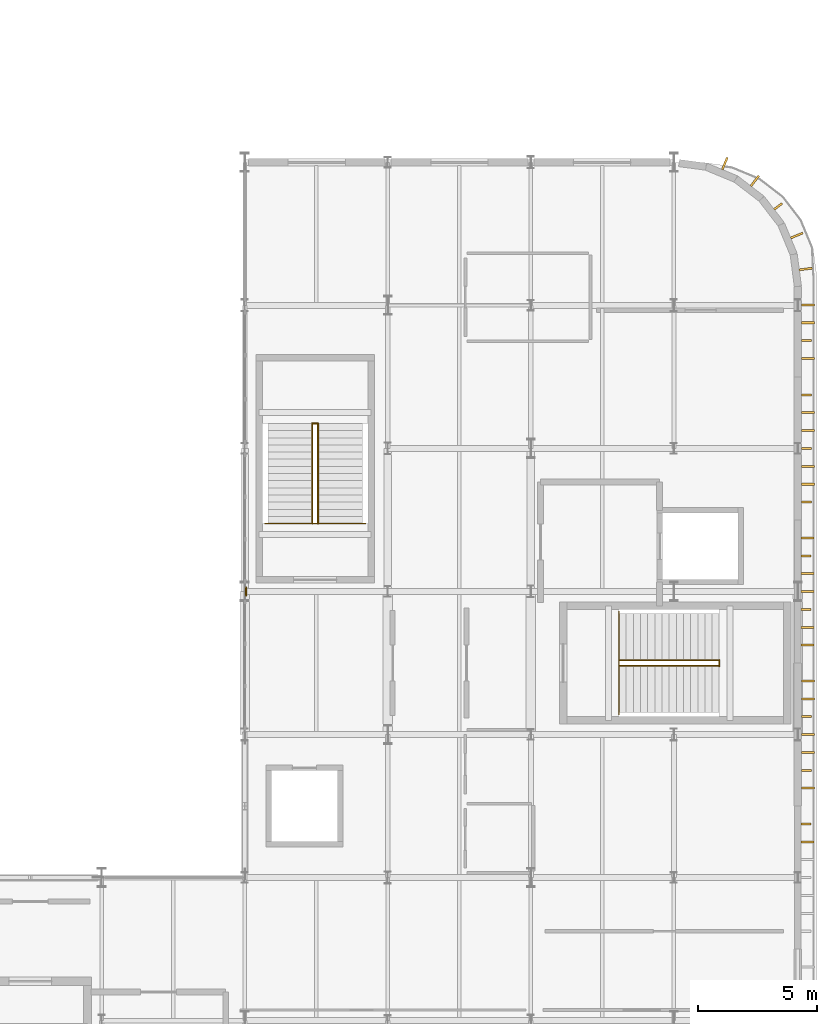
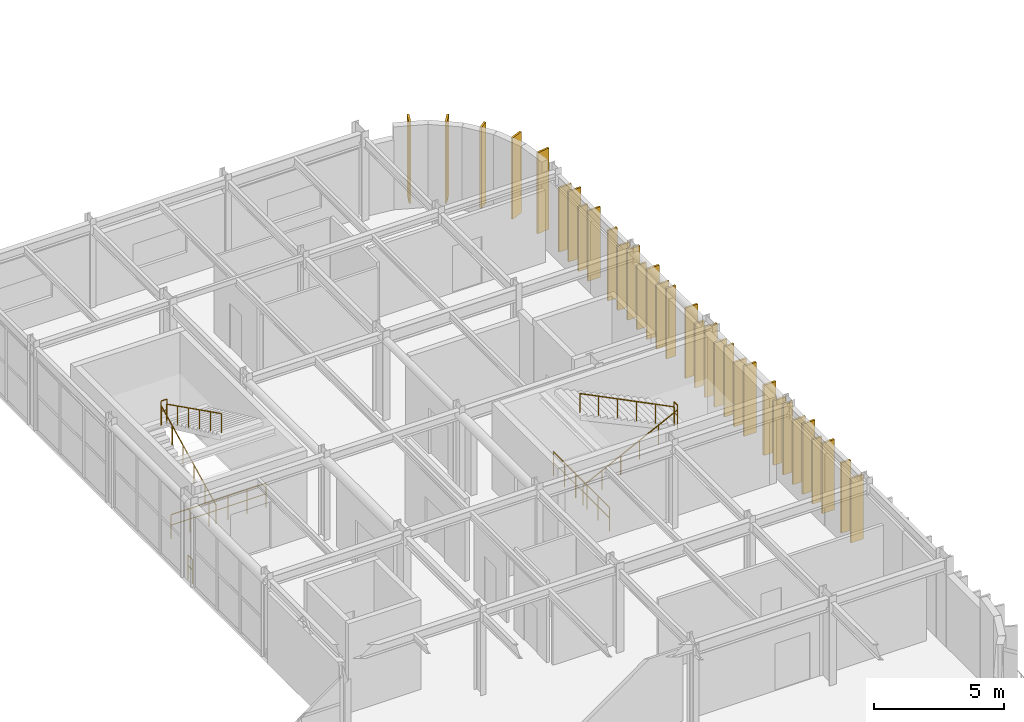
# One storey, part 83 of 83: 32 coverings, 9 railings.
"""IFC4 building model written with IfcOpenShell, lengths in metres."""

import ifcopenshell
import ifcopenshell.guid

model = None  # the IFC model being written
_history = None  # IfcOwnerHistory: only IFC2X3 demands one
_inside = {}  # id of a spatial element -> (the spatial element, [elements in it])
_under = {}  # id of a project, library or spatial element -> (it, [spatial elements below it])
_declared = {}  # id of a project -> (the project, [libraries it declares])
_typed = {}  # id of a type object -> (the type object, [elements of that type])
_made_of = {}  # id of a material, layer set ... -> (it, [elements and type objects made of it])


def new_model(schema):
    """Start an empty IFC model of exactly this schema.

    Asked for "IFC4X3", IfcOpenShell would pick the latest addendum, in which some entities
    have other attributes; the version numbers below select the first issue.
    IFC2X3 requires an IfcOwnerHistory on every rooted entity: one is made here for all.
    """
    global model, _history
    if schema == "IFC4X3":
        model = ifcopenshell.file(schema_version=(4, 3, 0, 0))
    else:
        model = ifcopenshell.file(schema=schema)
    _inside.clear()
    _under.clear()
    _declared.clear()
    _typed.clear()
    _made_of.clear()
    _history = None
    if model.schema == "IFC2X3":
        org = make("IfcOrganization", Name="unknown")
        user = make(
            "IfcPersonAndOrganization",
            ThePerson=make("IfcPerson", FamilyName="unknown"),
            TheOrganization=org,
        )
        app = make(
            "IfcApplication",
            ApplicationDeveloper=org,
            Version="unknown",
            ApplicationFullName="unknown",
            ApplicationIdentifier="unknown",
        )
        _history = make(
            "IfcOwnerHistory",
            OwningUser=user,
            OwningApplication=app,
            ChangeAction="ADDED",
            CreationDate=0,
        )
    return model


def make(cls, **values):
    """One entity of the class cls with the attributes given. An attribute that is None is left unset."""
    return model.create_entity(
        cls, **{name: value for name, value in values.items() if value is not None}
    )


def rooted(cls, **values):
    """An entity with a GlobalId (a new one), such as an element, a storey or a relation."""
    return make(cls, GlobalId=ifcopenshell.guid.new(), OwnerHistory=_history, **values)


def si_unit(unit_type, name, prefix=None):
    """IfcSIUnit, for example si_unit("LENGTHUNIT", "METRE", prefix="MILLI")."""
    return make("IfcSIUnit", UnitType=unit_type, Prefix=prefix, Name=name)


def assignment(units):
    """IfcUnitAssignment: the units of a project."""
    return None if units is None else make("IfcUnitAssignment", Units=units)


def point(xyz):
    """IfcCartesianPoint."""
    return None if xyz is None else make("IfcCartesianPoint", Coordinates=xyz)


def direction(xyz):
    """IfcDirection."""
    return None if xyz is None else make("IfcDirection", DirectionRatios=xyz)


def frame(location, z_axis=None, x_axis=None):
    """IfcAxis2Placement3D, a coordinate frame: its origin and axes. An axis left out is left unset."""
    return make(
        "IfcAxis2Placement3D",
        Location=point(location),
        Axis=direction(z_axis),
        RefDirection=direction(x_axis),
    )


def frame_2d(location, x_axis=None):
    """IfcAxis2Placement2D, a coordinate frame in the plane: its origin and x axis."""
    return make(
        "IfcAxis2Placement2D", Location=point(location), RefDirection=direction(x_axis)
    )


def origin():
    """The frame at (0, 0, 0) with its axes left unset."""
    return frame((0.0, 0.0, 0.0))


def origin_2d():
    """The frame at (0, 0) in the plane with its x axis left unset."""
    return frame_2d((0.0, 0.0))


def place(relative_to, where):
    """IfcLocalPlacement: puts the frame where relative to a parent placement (None: the world)."""
    return make(
        "IfcLocalPlacement", PlacementRelTo=relative_to, RelativePlacement=where
    )


def context(
    kind, dimensions, precision=None, world=None, true_north=None, identifier=None
):
    """IfcGeometricRepresentationContext, for example the 3D "Model" context."""
    return make(
        "IfcGeometricRepresentationContext",
        ContextIdentifier=identifier,
        ContextType=kind,
        CoordinateSpaceDimension=dimensions,
        Precision=precision,
        WorldCoordinateSystem=world,
        TrueNorth=true_north,
    )


def subcontext(parent, identifier, kind, view, scale=None):
    """IfcGeometricRepresentationSubContext, for example "Body" below "Model"."""
    return make(
        "IfcGeometricRepresentationSubContext",
        ContextIdentifier=identifier,
        ContextType=kind,
        ParentContext=parent,
        TargetScale=scale,
        TargetView=view,
    )


def project(units=None, contexts=None):
    """IfcProject with its units and contexts."""
    return rooted(
        "IfcProject",
        Name="project",
        RepresentationContexts=contexts,
        UnitsInContext=assignment(units),
    )


def spatial(cls, under=None, at=None, **own):
    """A site, building, storey or space (cls), placed at a placement, below another one or the project."""
    s = rooted(cls, ObjectPlacement=at, **own)
    if under is not None:
        _under.setdefault(under.id(), (under, []))[1].append(s)
    return s


def profile(cls, at=None, kind="AREA", **sizes):
    """A parametric profile (cls). Its sizes go by their IFC names, for example OverallWidth=200.0."""
    return make(cls, ProfileType=kind, Position=at, **sizes)


def rectangle(**sizes):
    """IfcRectangleProfileDef."""
    return profile("IfcRectangleProfileDef", **sizes)


def circle(**sizes):
    """IfcCircleProfileDef."""
    return profile("IfcCircleProfileDef", **sizes)


def extrude(swept, where, along, depth):
    """IfcExtrudedAreaSolid: the profile swept, set in the frame where, extruded along a direction by depth."""
    return make(
        "IfcExtrudedAreaSolid",
        SweptArea=swept,
        Position=where,
        ExtrudedDirection=direction(along),
        Depth=depth,
    )


def shape(context_of_items, identifier, shape_type, items):
    """IfcShapeRepresentation: the items that make up one representation, for example the "Body"."""
    return make(
        "IfcShapeRepresentation",
        ContextOfItems=context_of_items,
        RepresentationIdentifier=identifier,
        RepresentationType=shape_type,
        Items=items,
    )


def material(Name=None, Category=None):
    """IfcMaterial."""
    return make("IfcMaterial", Name=Name, Category=Category)


def layer(
    of_material, thickness, ventilated=None, Name=None, Category=None, Priority=None
):
    """IfcMaterialLayer: one layer of a wall or slab, of a material (None: an air gap)."""
    return make(
        "IfcMaterialLayer",
        Material=of_material,
        LayerThickness=thickness,
        IsVentilated=ventilated,
        Name=Name,
        Category=Category,
        Priority=Priority,
    )


def layer_set(layers, Name=None):
    """IfcMaterialLayerSet."""
    return make("IfcMaterialLayerSet", MaterialLayers=layers, LayerSetName=Name)


def made_of(thing, what):
    """Note that an element or type object is made of a material, layer set ...; save() writes the relation."""
    if what is not None:
        _made_of.setdefault(what.id(), (what, []))[1].append(thing)
    return thing


def type_object(cls, material=None, **own):
    """A type object (cls), such as IfcWallType, which elements share."""
    return made_of(rooted(cls, **own), material)


def element(
    cls,
    number,
    at=None,
    inside=None,
    cuts=None,
    type_object=None,
    material=None,
    context=None,
    identifier="Body",
    shape_type=None,
    held_by="IfcProductDefinitionShape",
    body=None,
    shapes=None,
    **own,
):
    """One element of the class cls, such as IfcWall. Its Tag is "e" and its number.

    at: its placement. inside: the storey or other place that contains it. cuts: it is an
    opening in that element (IfcRelVoidsElement). A single representation is given by context,
    identifier, shape_type and body (its items); several are given by shapes. held_by: the class
    of the entity that holds the representations. save() writes the other relations.
    """
    e = rooted(cls, Tag="e%d" % number, ObjectPlacement=at, **own)
    if body is not None:
        shapes = [shape(context, identifier, shape_type, body)]
    if shapes is not None:
        e.Representation = make(held_by, Representations=shapes)
    if inside is not None:
        _inside.setdefault(inside.id(), (inside, []))[1].append(e)
    if cuts is not None:
        rooted(
            "IfcRelVoidsElement", RelatingBuildingElement=cuts, RelatedOpeningElement=e
        )
    if type_object is not None:
        _typed.setdefault(type_object.id(), (type_object, []))[1].append(e)
    return made_of(e, material)


def aggregate(whole, parts):
    """IfcRelAggregates: a whole, such as a stair, and the parts it consists of."""
    return rooted("IfcRelAggregates", RelatingObject=whole, RelatedObjects=parts)


def save(model, path):
    """Write the relations noted so far, then the file.

    IfcRelAggregates (storeys below a building ...), IfcRelContainedInSpatialStructure (elements
    in a storey), IfcRelDefinesByType, IfcRelAssociatesMaterial and IfcRelDeclares: one each for
    every whole, place, type object, material and project.
    """
    for whole, parts in _under.values():
        aggregate(whole, parts)
    for where, things in _inside.values():
        rooted(
            "IfcRelContainedInSpatialStructure",
            RelatedElements=things,
            RelatingStructure=where,
        )
    for kind, things in _typed.values():
        rooted("IfcRelDefinesByType", RelatedObjects=things, RelatingType=kind)
    for what, things in _made_of.values():
        rooted("IfcRelAssociatesMaterial", RelatedObjects=things, RelatingMaterial=what)
    for by, libraries in _declared.values():
        rooted("IfcRelDeclares", RelatingContext=by, RelatedDefinitions=libraries)
    model.write(path)


model = new_model("IFC4")

# Units and contexts
model_context = context("Model", 3, precision=1e-05, world=origin(), true_north=direction((0.0, 1.0)))
body_context = subcontext(model_context, "Body", "Model", "MODEL_VIEW")
ifc_project = project(units=[si_unit("LENGTHUNIT", "METRE"), si_unit("AREAUNIT", "SQUARE_METRE"), si_unit("VOLUMEUNIT", "CUBIC_METRE"), si_unit("PLANEANGLEUNIT", "RADIAN"), si_unit("MASSUNIT", "GRAM", prefix="KILO")], contexts=[model_context])

# Site, building, storey
site_placement = place(None, origin())
site = spatial("IfcSite", under=ifc_project, at=site_placement, CompositionType="ELEMENT")
building_placement = place(site_placement, origin())
building = spatial("IfcBuilding", under=site, at=building_placement, Name="Varnakota Square Police Headquarters", CompositionType="ELEMENT")
storey_placement = place(building_placement, frame((0.0, 0.0, 18.0)))
storey = spatial("IfcBuildingStorey", under=building, at=storey_placement, Name="L04", CompositionType="ELEMENT", Elevation=18.0)

# Coverings
ifc_material_1 = material(Name="White Anodised Aluminium Vertical Facade Blade 420", Category="aluminium")
ifc_layer_1 = layer(ifc_material_1, 0.0849609375, Name="White Anodised Aluminium Vertical Facade Blade 420")
ifc_layer_set_1 = layer_set([ifc_layer_1], Name="White Anodised Aluminium Vertical Facade Blade 420")
covering_type_1 = type_object("IfcCoveringType", Name="COV-FIN-420", PredefinedType="CLADDING", material=ifc_layer_set_1)
covering_1_placement = place(storey_placement, frame((161.544921875, 17.25, 0.0400390625), z_axis=(0.0, 0.0, 1.0), x_axis=(0.0, 1.0, 0.0)))
element("IfcCovering", 1, at=covering_1_placement, inside=storey, type_object=covering_type_1, Name="Vertical aluminium facade fin FIN-0583", PredefinedType="CLADDING", context=body_context, shape_type="SweptSolid", body=[
    extrude(rectangle(XDim=0.0849609375, YDim=0.419921875, at=origin_2d()), origin(), (0.0, 0.0, 1.0), 3.31005859375),
])
covering_2_placement = place(storey_placement, frame((161.56494140625, 19.5, 0.0400390625), z_axis=(0.0, 0.0, 1.0), x_axis=(0.0, 1.0, 0.0)))
element("IfcCovering", 2, at=covering_2_placement, inside=storey, type_object=covering_type_1, Name="Vertical aluminium facade fin FIN-0585", PredefinedType="CLADDING", context=body_context, shape_type="SweptSolid", body=[
    extrude(rectangle(XDim=0.0849609375, YDim=0.419921875, at=origin_2d()), origin(), (0.0, 0.0, 1.0), 3.030029296875),
])
for number, where, z_axis, x_axis, name in (
    (3, (161.56494140625, 21.75, 0.0400390625), (0.0, 0.0, 1.0), (0.0, 1.0, 0.0), "Vertical aluminium facade fin FIN-0588"),
    (4, (161.544921875, 26.25, 0.0400390625), (0.0, 0.0, 1.0), (0.0, 1.0, 0.0), "Vertical aluminium facade fin FIN-0593"),
):
    element("IfcCovering", number, at=place(storey_placement, frame(where, z_axis=z_axis, x_axis=x_axis)), inside=storey, type_object=covering_type_1, Name=name, PredefinedType="CLADDING", context=body_context, shape_type="SweptSolid", body=[
        extrude(rectangle(XDim=0.0849609375, YDim=0.419921875, at=origin_2d()), origin(), (0.0, 0.0, 1.0), 3.31005859375),
    ])
covering_3_placement = place(storey_placement, frame((161.544921875, 28.5, 0.0400390625), z_axis=(0.0, 0.0, 1.0), x_axis=(0.0, 1.0, 0.0)))
element("IfcCovering", 5, at=covering_3_placement, inside=storey, type_object=covering_type_1, Name="Vertical aluminium facade fin FIN-0596", PredefinedType="CLADDING", context=body_context, shape_type="SweptSolid", body=[
    extrude(rectangle(XDim=0.0849609375, YDim=0.419921875, at=origin_2d()), origin(), (0.0, 0.0, 1.0), 3.030029296875),
])
covering_4_placement = place(storey_placement, frame((161.56494140625, 30.75, 0.0400390625), z_axis=(0.0, 0.0, 1.0), x_axis=(0.0, 1.0, 0.0)))
element("IfcCovering", 6, at=covering_4_placement, inside=storey, type_object=covering_type_1, Name="Vertical aluminium facade fin FIN-0598", PredefinedType="CLADDING", context=body_context, shape_type="SweptSolid", body=[
    extrude(rectangle(XDim=0.0849609375, YDim=0.419921875, at=origin_2d()), origin(), (0.0, 0.0, 1.0), 3.31005859375),
])
covering_5_placement = place(storey_placement, frame((161.56494140625, 33.0, 0.0400390625), z_axis=(0.0, 0.0, 1.0), x_axis=(0.0, 1.0, 0.0)))
element("IfcCovering", 7, at=covering_5_placement, inside=storey, type_object=covering_type_1, Name="Vertical aluminium facade fin FIN-0601", PredefinedType="CLADDING", context=body_context, shape_type="SweptSolid", body=[
    extrude(rectangle(XDim=0.0849609375, YDim=0.419921875, at=origin_2d()), origin(), (0.0, 0.0, 1.0), 3.030029296875),
])
covering_6_placement = place(storey_placement, frame((161.56494140625, 35.25, 0.0400390625), z_axis=(0.0, 0.0, 1.0), x_axis=(0.0, 1.0, 0.0)))
element("IfcCovering", 8, at=covering_6_placement, inside=storey, type_object=covering_type_1, Name="Vertical aluminium facade fin FIN-0604", PredefinedType="CLADDING", context=body_context, shape_type="SweptSolid", body=[
    extrude(rectangle(XDim=0.0849609375, YDim=0.419921875, at=origin_2d()), origin(), (0.0, 0.0, 1.0), 3.31005859375),
])
covering_7_placement = place(storey_placement, frame((161.56494140625, 37.52490234375, 0.0400390625), z_axis=(0.0, 0.0, 1.0), x_axis=(0.0, 1.0, 0.0)))
element("IfcCovering", 9, at=covering_7_placement, inside=storey, type_object=covering_type_1, Name="Vertical aluminium facade fin FIN-0606", PredefinedType="CLADDING", context=body_context, shape_type="SweptSolid", body=[
    extrude(rectangle(XDim=0.0849609375, YDim=0.419921875, at=origin_2d()), origin(), (0.0, 0.0, 1.0), 3.030029296875),
])
covering_8_placement = place(storey_placement, frame((160.371826171875, 43.154541015625, 0.0400390625), z_axis=(0.0, 0.0, 1.0), x_axis=(-0.608761429009, 0.793353340291, 0.0)))
element("IfcCovering", 10, at=covering_8_placement, inside=storey, type_object=covering_type_1, Name="Vertical aluminium facade fin FIN-0622", PredefinedType="CLADDING", context=body_context, shape_type="SweptSolid", body=[
    extrude(rectangle(XDim=0.0849609375, YDim=0.419921875, at=origin_2d()), origin(), (0.0, 0.0, 1.0), 3.81494140625),
])
ifc_material_2 = material(Name="White Anodised Aluminium Vertical Facade Blade 550", Category="aluminium")
ifc_layer_2 = layer(ifc_material_2, 0.0849609375, Name="White Anodised Aluminium Vertical Facade Blade 550")
ifc_layer_set_2 = layer_set([ifc_layer_2], Name="White Anodised Aluminium Vertical Facade Blade 550")
covering_type_2 = type_object("IfcCoveringType", Name="COV-FIN-550", PredefinedType="CLADDING", material=ifc_layer_set_2)
covering_9_placement = place(storey_placement, frame((161.610107421875, 16.5, 0.0400390625), z_axis=(0.0, 0.0, 1.0), x_axis=(0.0, 1.0, 0.0)))
element("IfcCovering", 11, at=covering_9_placement, inside=storey, type_object=covering_type_2, Name="Vertical aluminium facade fin FIN-0582", PredefinedType="CLADDING", context=body_context, shape_type="SweptSolid", body=[
    extrude(rectangle(XDim=0.0849609375, YDim=0.550048828125, at=origin_2d()), origin(), (0.0, 0.0, 1.0), 3.030029296875),
])
for number, where, z_axis, x_axis, name in (
    (12, (161.6298828125, 18.75, 0.0400390625), (0.0, 0.0, 1.0), (0.0, 1.0, 0.0), "Vertical aluminium facade fin FIN-0584"),
    (13, (161.6298828125, 20.25, 0.0400390625), (0.0, 0.0, 1.0), (0.0, 1.0, 0.0), "Vertical aluminium facade fin FIN-0586"),
):
    element("IfcCovering", number, at=place(storey_placement, frame(where, z_axis=z_axis, x_axis=x_axis)), inside=storey, type_object=covering_type_2, Name=name, PredefinedType="CLADDING", context=body_context, shape_type="SweptSolid", body=[
        extrude(rectangle(XDim=0.0849609375, YDim=0.550048828125, at=origin_2d()), origin(), (0.0, 0.0, 1.0), 3.31005859375),
    ])
for number, where, z_axis, x_axis, name in (
    (14, (161.6298828125, 21.0, 0.0400390625), (0.0, 0.0, 1.0), (0.0, 1.0, 0.0), "Vertical aluminium facade fin FIN-0587"),
    (15, (161.6298828125, 22.5, 0.0400390625), (0.0, 0.0, 1.0), (0.0, 1.0, 0.0), "Vertical aluminium facade fin FIN-0589"),
):
    element("IfcCovering", number, at=place(storey_placement, frame(where, z_axis=z_axis, x_axis=x_axis)), inside=storey, type_object=covering_type_2, Name=name, PredefinedType="CLADDING", context=body_context, shape_type="SweptSolid", body=[
        extrude(rectangle(XDim=0.0849609375, YDim=0.550048828125, at=origin_2d()), origin(), (0.0, 0.0, 1.0), 3.030029296875),
    ])
for number, where, z_axis, x_axis, name in (
    (16, (161.6298828125, 23.25, 0.0400390625), (0.0, 0.0, 1.0), (0.0, 1.0, 0.0), "Vertical aluminium facade fin FIN-0590"),
    (17, (161.610107421875, 24.75, 0.0400390625), (0.0, 0.0, 1.0), (0.0, 1.0, 0.0), "Vertical aluminium facade fin FIN-0591"),
):
    element("IfcCovering", number, at=place(storey_placement, frame(where, z_axis=z_axis, x_axis=x_axis)), inside=storey, type_object=covering_type_2, Name=name, PredefinedType="CLADDING", context=body_context, shape_type="SweptSolid", body=[
        extrude(rectangle(XDim=0.0849609375, YDim=0.550048828125, at=origin_2d()), origin(), (0.0, 0.0, 1.0), 3.31005859375),
    ])
for number, where, z_axis, x_axis, name in (
    (18, (161.610107421875, 25.5, 0.0400390625), (0.0, 0.0, 1.0), (0.0, 1.0, 0.0), "Vertical aluminium facade fin FIN-0592"),
    (19, (161.610107421875, 27.0, 0.0400390625), (0.0, 0.0, 1.0), (0.0, 1.0, 0.0), "Vertical aluminium facade fin FIN-0594"),
):
    element("IfcCovering", number, at=place(storey_placement, frame(where, z_axis=z_axis, x_axis=x_axis)), inside=storey, type_object=covering_type_2, Name=name, PredefinedType="CLADDING", context=body_context, shape_type="SweptSolid", body=[
        extrude(rectangle(XDim=0.0849609375, YDim=0.550048828125, at=origin_2d()), origin(), (0.0, 0.0, 1.0), 3.030029296875),
    ])
for number, where, z_axis, x_axis, name in (
    (20, (161.610107421875, 27.75, 0.0400390625), (0.0, 0.0, 1.0), (0.0, 1.0, 0.0), "Vertical aluminium facade fin FIN-0595"),
    (21, (161.610107421875, 29.25, 0.0400390625), (0.0, 0.0, 1.0), (0.0, 1.0, 0.0), "Vertical aluminium facade fin FIN-0597"),
):
    element("IfcCovering", number, at=place(storey_placement, frame(where, z_axis=z_axis, x_axis=x_axis)), inside=storey, type_object=covering_type_2, Name=name, PredefinedType="CLADDING", context=body_context, shape_type="SweptSolid", body=[
        extrude(rectangle(XDim=0.0849609375, YDim=0.550048828125, at=origin_2d()), origin(), (0.0, 0.0, 1.0), 3.31005859375),
    ])
covering_10_placement = place(storey_placement, frame((161.6298828125, 31.5, 0.0400390625), z_axis=(0.0, 0.0, 1.0), x_axis=(0.0, 1.0, 0.0)))
element("IfcCovering", 22, at=covering_10_placement, inside=storey, type_object=covering_type_2, Name="Vertical aluminium facade fin FIN-0599", PredefinedType="CLADDING", context=body_context, shape_type="SweptSolid", body=[
    extrude(rectangle(XDim=0.0849609375, YDim=0.550048828125, at=origin_2d()), origin(), (0.0, 0.0, 1.0), 3.030029296875),
])
for number, where, z_axis, x_axis, name in (
    (23, (161.6298828125, 32.25, 0.0400390625), (0.0, 0.0, 1.0), (0.0, 1.0, 0.0), "Vertical aluminium facade fin FIN-0600"),
    (24, (161.6298828125, 33.75, 0.0400390625), (0.0, 0.0, 1.0), (0.0, 1.0, 0.0), "Vertical aluminium facade fin FIN-0602"),
):
    element("IfcCovering", number, at=place(storey_placement, frame(where, z_axis=z_axis, x_axis=x_axis)), inside=storey, type_object=covering_type_2, Name=name, PredefinedType="CLADDING", context=body_context, shape_type="SweptSolid", body=[
        extrude(rectangle(XDim=0.0849609375, YDim=0.550048828125, at=origin_2d()), origin(), (0.0, 0.0, 1.0), 3.31005859375),
    ])
covering_11_placement = place(storey_placement, frame((161.6298828125, 34.5, 0.0400390625), z_axis=(0.0, 0.0, 1.0), x_axis=(0.0, 1.0, 0.0)))
element("IfcCovering", 25, at=covering_11_placement, inside=storey, type_object=covering_type_2, Name="Vertical aluminium facade fin FIN-0603", PredefinedType="CLADDING", context=body_context, shape_type="SweptSolid", body=[
    extrude(rectangle(XDim=0.0849609375, YDim=0.550048828125, at=origin_2d()), origin(), (0.0, 0.0, 1.0), 3.030029296875),
])
for number, where, z_axis, x_axis, name in (
    (26, (161.6298828125, 36.77490234375, 0.0400390625), (0.0, 0.0, 1.0), (0.0, 1.0, 0.0), "Vertical aluminium facade fin FIN-0605"),
    (27, (161.6298828125, 38.27490234375, 0.0400390625), (0.0, 0.0, 1.0), (0.0, 1.0, 0.0), "Vertical aluminium facade fin FIN-0607"),
):
    element("IfcCovering", number, at=place(storey_placement, frame(where, z_axis=z_axis, x_axis=x_axis)), inside=storey, type_object=covering_type_2, Name=name, PredefinedType="CLADDING", context=body_context, shape_type="SweptSolid", body=[
        extrude(rectangle(XDim=0.0849609375, YDim=0.550048828125, at=origin_2d()), origin(), (0.0, 0.0, 1.0), 3.31005859375),
    ])
covering_12_placement = place(storey_placement, frame((161.6298828125, 39.02490234375, 0.0400390625), z_axis=(0.0, 0.0, 1.0), x_axis=(0.0, 1.0, 0.0)))
element("IfcCovering", 28, at=covering_12_placement, inside=storey, type_object=covering_type_2, Name="Vertical aluminium facade fin FIN-0608", PredefinedType="CLADDING", context=body_context, shape_type="SweptSolid", body=[
    extrude(rectangle(XDim=0.0849609375, YDim=0.550048828125, at=origin_2d()), origin(), (0.0, 0.0, 1.0), 3.030029296875),
])
for number, where, z_axis, x_axis, name in (
    (29, (161.52783203125, 40.52783203125, 0.0400390625), (0.0, 0.0, 1.0), (-0.13052619222, 0.991444861374, 0.0), "Vertical aluminium facade fin FIN-0620"),
    (30, (161.151123046875, 41.93359375, 0.0400390625), (0.0, 0.0, 1.0), (-0.382683432365, 0.923879532511, 0.0), "Vertical aluminium facade fin FIN-0621"),
    (31, (159.394287109375, 44.223388671875, 0.0400390625), (0.0, 0.0, 1.0), (-0.793353340291, 0.608761429009, 0.0), "Vertical aluminium facade fin FIN-0623"),
    (32, (158.1337890625, 44.951171875, 0.0400390625), (0.0, 0.0, 1.0), (-0.923879532511, 0.382683432365, 0.0), "Vertical aluminium facade fin FIN-0624"),
):
    element("IfcCovering", number, at=place(storey_placement, frame(where, z_axis=z_axis, x_axis=x_axis)), inside=storey, type_object=covering_type_2, Name=name, PredefinedType="CLADDING", context=body_context, shape_type="SweptSolid", body=[
        extrude(rectangle(XDim=0.0849609375, YDim=0.550048828125, at=origin_2d()), origin(), (0.0, 0.0, 1.0), 3.81494140625),
    ])

# Railings
ifc_material_3 = material(Name="Galvanised Powder-Coated Steel Guardrail", Category="steel")
railing_type_1 = type_object("IfcRailingType", Name="RL-BAL-1150", PredefinedType="BALUSTRADE", material=ifc_material_3)
railing_1_placement = place(storey_placement, frame((138.050048828125, 26.82958984375, 0.0)))
element("IfcRailing", 33, at=railing_1_placement, inside=storey, type_object=railing_type_1, Name="Perimeter edge safety guard GD-AUTO-L04-079", PredefinedType="BALUSTRADE", context=body_context, shape_type="SweptSolid", body=[
    extrude(circle(Radius=0.02392578125, at=origin_2d()), frame((0.0, 0.0, 1.1259765625), z_axis=(0.0, 1.0, 0.0), x_axis=(-1.0, 0.0, 0.0)), (0.0, 0.0, 1.0), 0.3408203125),
    extrude(circle(Radius=0.01806640625, at=origin_2d()), frame((0.0, 0.0, 0.63232421875), z_axis=(0.0, 1.0, 0.0), x_axis=(-1.0, 0.0, 0.0)), (0.0, 0.0, 1.0), 0.3408203125),
    extrude(circle(Radius=0.02099609375, at=origin_2d()), origin(), (0.0, 0.0, 1.0), 1.101806640625),
    extrude(circle(Radius=0.02099609375, at=origin_2d()), frame((0.0, 0.3408203125, 0.0)), (0.0, 0.0, 1.0), 1.101806640625),
])
ifc_material_4 = material(Name="Brushed Stainless Steel Tubular Handrail", Category="steel")
railing_type_2 = type_object("IfcRailingType", Name="RL-HND-920", PredefinedType="HANDRAIL", material=ifc_material_4)
railing_2_placement = place(storey_placement, frame((153.699951171875, 23.8798828125, 0.0)))
element("IfcRailing", 34, at=railing_2_placement, inside=storey, type_object=railing_type_2, Name="Stair flight handrail HR-L04-023", PredefinedType="HANDRAIL", context=body_context, shape_type="SweptSolid", body=[
    extrude(circle(Radius=0.02392578125, at=origin_2d()), frame((0.0, 0.0, 0.89599609375), z_axis=(0.894447983895, 0.0, 0.447172007292), x_axis=(0.0, 1.0, 0.0)), (0.0, 0.0, 1.0), 4.6962890625),
    extrude(circle(Radius=0.02099609375, at=origin_2d()), origin(), (0.0, 0.0, 1.0), 0.871826171875),
    extrude(circle(Radius=0.02099609375, at=origin_2d()), frame((0.840087890625, 0.0, 0.419921875)), (0.0, 0.0, 1.0), 0.871826171875),
    extrude(circle(Radius=0.02099609375, at=origin_2d()), frame((1.68017578125, 0.0, 0.840087890625)), (0.0, 0.0, 1.0), 0.871826171875),
    extrude(circle(Radius=0.02099609375, at=origin_2d()), frame((2.5205078125, 0.0, 1.260009765625)), (0.0, 0.0, 1.0), 0.871826171875),
    extrude(circle(Radius=0.02099609375, at=origin_2d()), frame((3.360595703125, 0.0, 1.68017578125)), (0.0, 0.0, 1.0), 0.871826171875),
    extrude(circle(Radius=0.02099609375, at=origin_2d()), frame((4.20068359375, 0.0, 2.10009765625)), (0.0, 0.0, 1.0), 0.871826171875),
])
railing_3_placement = place(storey_placement, frame((157.900634765625, 24.1201171875, 2.10009765625)))
element("IfcRailing", 35, at=railing_3_placement, inside=storey, type_object=railing_type_2, Name="Stair flight handrail HR-L04-024", PredefinedType="HANDRAIL", context=body_context, shape_type="SweptSolid", body=[
    extrude(circle(Radius=0.02392578125, at=origin_2d()), frame((0.0, 0.0, 0.89599609375), z_axis=(-0.894468775824, 0.0, 0.447130416184), x_axis=(0.0, -1.0, 0.0)), (0.0, 0.0, 1.0), 4.6962890625),
    extrude(circle(Radius=0.02099609375, at=origin_2d()), origin(), (0.0, 0.0, 1.0), 0.871826171875),
    extrude(circle(Radius=0.02099609375, at=origin_2d()), frame((-0.840087890625, 0.0, 0.419921875)), (0.0, 0.0, 1.0), 0.871826171875),
    extrude(circle(Radius=0.02099609375, at=origin_2d()), frame((-1.68017578125, 0.0, 0.83984375)), (0.0, 0.0, 1.0), 0.871826171875),
    extrude(circle(Radius=0.02099609375, at=origin_2d()), frame((-2.5205078125, 0.0, 1.260009765625)), (0.0, 0.0, 1.0), 0.871826171875),
    extrude(circle(Radius=0.02099609375, at=origin_2d()), frame((-3.360595703125, 0.0, 1.679931640625)), (0.0, 0.0, 1.0), 0.871826171875),
    extrude(circle(Radius=0.02099609375, at=origin_2d()), frame((-4.20068359375, 0.0, 2.099853515625)), (0.0, 0.0, 1.0), 0.871826171875),
])
railing_4_placement = place(storey_placement, frame((140.829833984375, 29.85009765625, 0.0)))
element("IfcRailing", 36, at=railing_4_placement, inside=storey, type_object=railing_type_2, Name="Stair flight handrail HR-L04-037", PredefinedType="HANDRAIL", context=body_context, shape_type="SweptSolid", body=[
    extrude(circle(Radius=0.02392578125, at=origin_2d()), frame((0.0, 0.0, 0.89599609375), z_axis=(0.0, 0.894447983895, 0.447172007292), x_axis=(-1.0, 0.0, 0.0)), (0.0, 0.0, 1.0), 4.6962890625),
    extrude(circle(Radius=0.02099609375, at=origin_2d()), origin(), (0.0, 0.0, 1.0), 0.871826171875),
    extrude(circle(Radius=0.02099609375, at=origin_2d()), frame((0.0, 0.840087890625, 0.419921875)), (0.0, 0.0, 1.0), 0.871826171875),
    extrude(circle(Radius=0.02099609375, at=origin_2d()), frame((0.0, 1.68017578125, 0.840087890625)), (0.0, 0.0, 1.0), 0.871826171875),
    extrude(circle(Radius=0.02099609375, at=origin_2d()), frame((0.0, 2.5205078125, 1.260009765625)), (0.0, 0.0, 1.0), 0.871826171875),
    extrude(circle(Radius=0.02099609375, at=origin_2d()), frame((0.0, 3.360595703125, 1.68017578125)), (0.0, 0.0, 1.0), 0.871826171875),
    extrude(circle(Radius=0.02099609375, at=origin_2d()), frame((0.0, 4.20068359375, 2.10009765625)), (0.0, 0.0, 1.0), 0.871826171875),
])
railing_5_placement = place(storey_placement, frame((141.070068359375, 34.05078125, 2.10009765625)))
element("IfcRailing", 37, at=railing_5_placement, inside=storey, type_object=railing_type_2, Name="Stair flight handrail HR-L04-038", PredefinedType="HANDRAIL", context=body_context, shape_type="SweptSolid", body=[
    extrude(circle(Radius=0.02392578125, at=origin_2d()), frame((0.0, 0.0, 0.89599609375), z_axis=(0.0, -0.894468775824, 0.447130416184), x_axis=(1.0, 0.0, 0.0)), (0.0, 0.0, 1.0), 4.6962890625),
    extrude(circle(Radius=0.02099609375, at=origin_2d()), origin(), (0.0, 0.0, 1.0), 0.871826171875),
    extrude(circle(Radius=0.02099609375, at=origin_2d()), frame((0.0, -0.840087890625, 0.419921875)), (0.0, 0.0, 1.0), 0.871826171875),
    extrude(circle(Radius=0.02099609375, at=origin_2d()), frame((0.0, -1.68017578125, 0.83984375)), (0.0, 0.0, 1.0), 0.871826171875),
    extrude(circle(Radius=0.02099609375, at=origin_2d()), frame((0.0, -2.5205078125, 1.260009765625)), (0.0, 0.0, 1.0), 0.871826171875),
    extrude(circle(Radius=0.02099609375, at=origin_2d()), frame((0.0, -3.360595703125, 1.679931640625)), (0.0, 0.0, 1.0), 0.871826171875),
    extrude(circle(Radius=0.02099609375, at=origin_2d()), frame((0.0, -4.20068359375, 2.099853515625)), (0.0, 0.0, 1.0), 0.871826171875),
])
ifc_material_5 = material(Name="Laminated Glass and Stainless Steel Balustrade", Category="steel")
railing_type_3 = type_object("IfcRailingType", Name="RL-INT-1150", PredefinedType="BALUSTRADE", material=ifc_material_5)
railing_6_placement = place(storey_placement, frame((153.699951171875, 21.840087890625, 0.0)))
element("IfcRailing", 38, at=railing_6_placement, inside=storey, type_object=railing_type_3, Name="Stair well safety guard C2 L04", PredefinedType="BALUSTRADE", context=body_context, shape_type="SweptSolid", body=[
    extrude(circle(Radius=0.02392578125, at=origin_2d()), frame((0.0, 0.0, 1.1259765625), z_axis=(0.0, 1.0, 0.0), x_axis=(-1.0, 0.0, 0.0)), (0.0, 0.0, 1.0), 4.31982421875),
    extrude(circle(Radius=0.01806640625, at=origin_2d()), frame((0.0, 0.0, 0.63232421875), z_axis=(0.0, 1.0, 0.0), x_axis=(-1.0, 0.0, 0.0)), (0.0, 0.0, 1.0), 4.31982421875),
    extrude(circle(Radius=0.02099609375, at=origin_2d()), origin(), (0.0, 0.0, 1.0), 1.101806640625),
    extrude(circle(Radius=0.02099609375, at=origin_2d()), frame((0.0, 0.864013671875, 0.0)), (0.0, 0.0, 1.0), 1.101806640625),
    extrude(circle(Radius=0.02099609375, at=origin_2d()), frame((0.0, 1.72802734375, 0.0)), (0.0, 0.0, 1.0), 1.101806640625),
    extrude(circle(Radius=0.02099609375, at=origin_2d()), frame((0.0, 2.591796875, 0.0)), (0.0, 0.0, 1.0), 1.101806640625),
    extrude(circle(Radius=0.02099609375, at=origin_2d()), frame((0.0, 3.455810546875, 0.0)), (0.0, 0.0, 1.0), 1.101806640625),
    extrude(circle(Radius=0.02099609375, at=origin_2d()), frame((0.0, 4.31982421875, 0.0)), (0.0, 0.0, 1.0), 1.101806640625),
])
railing_7_placement = place(storey_placement, frame((157.900634765625, 23.869873046875, 2.10009765625)))
element("IfcRailing", 39, at=railing_7_placement, inside=storey, type_object=railing_type_3, Name="Half-landing well guard C2 L04", PredefinedType="BALUSTRADE", context=body_context, shape_type="SweptSolid", body=[
    extrude(circle(Radius=0.02392578125, at=origin_2d()), frame((0.0, 0.0, 1.1259765625), z_axis=(0.0, 1.0, 0.0), x_axis=(-1.0, 0.0, 0.0)), (0.0, 0.0, 1.0), 0.26025390625),
    extrude(circle(Radius=0.01806640625, at=origin_2d()), frame((0.0, 0.0, 0.63232421875), z_axis=(0.0, 1.0, 0.0), x_axis=(-1.0, 0.0, 0.0)), (0.0, 0.0, 1.0), 0.26025390625),
    extrude(circle(Radius=0.02099609375, at=origin_2d()), origin(), (0.0, 0.0, 1.0), 1.101806640625),
    extrude(circle(Radius=0.02099609375, at=origin_2d()), frame((0.0, 0.26025390625, 0.0)), (0.0, 0.0, 1.0), 1.101806640625),
])
railing_8_placement = place(storey_placement, frame((138.840087890625, 29.85009765625, 0.0)))
element("IfcRailing", 40, at=railing_8_placement, inside=storey, type_object=railing_type_3, Name="Stair well safety guard C3 L04", PredefinedType="BALUSTRADE", context=body_context, shape_type="SweptSolid", body=[
    extrude(circle(Radius=0.02392578125, at=origin_2d()), frame((0.0, 0.0, 1.1259765625), z_axis=(1.0, 0.0, 0.0), x_axis=(0.0, 1.0, 0.0)), (0.0, 0.0, 1.0), 4.219970703125),
    extrude(circle(Radius=0.01806640625, at=origin_2d()), frame((0.0, 0.0, 0.63232421875), z_axis=(1.0, 0.0, 0.0), x_axis=(0.0, 1.0, 0.0)), (0.0, 0.0, 1.0), 4.219970703125),
    extrude(circle(Radius=0.02099609375, at=origin_2d()), origin(), (0.0, 0.0, 1.0), 1.101806640625),
    extrude(circle(Radius=0.02099609375, at=origin_2d()), frame((0.843994140625, 0.0, 0.0)), (0.0, 0.0, 1.0), 1.101806640625),
    extrude(circle(Radius=0.02099609375, at=origin_2d()), frame((1.68798828125, 0.0, 0.0)), (0.0, 0.0, 1.0), 1.101806640625),
    extrude(circle(Radius=0.02099609375, at=origin_2d()), frame((2.531982421875, 0.0, 0.0)), (0.0, 0.0, 1.0), 1.101806640625),
    extrude(circle(Radius=0.02099609375, at=origin_2d()), frame((3.3759765625, 0.0, 0.0)), (0.0, 0.0, 1.0), 1.101806640625),
    extrude(circle(Radius=0.02099609375, at=origin_2d()), frame((4.219970703125, 0.0, 0.0)), (0.0, 0.0, 1.0), 1.101806640625),
])
railing_9_placement = place(storey_placement, frame((140.81982421875, 34.05078125, 2.10009765625)))
element("IfcRailing", 41, at=railing_9_placement, inside=storey, type_object=railing_type_3, Name="Half-landing well guard C3 L04", PredefinedType="BALUSTRADE", context=body_context, shape_type="SweptSolid", body=[
    extrude(circle(Radius=0.02392578125, at=origin_2d()), frame((0.0, 0.0, 1.1259765625), z_axis=(1.0, 0.0, 0.0), x_axis=(0.0, 1.0, 0.0)), (0.0, 0.0, 1.0), 0.26025390625),
    extrude(circle(Radius=0.01806640625, at=origin_2d()), frame((0.0, 0.0, 0.63232421875), z_axis=(1.0, 0.0, 0.0), x_axis=(0.0, 1.0, 0.0)), (0.0, 0.0, 1.0), 0.26025390625),
    extrude(circle(Radius=0.02099609375, at=origin_2d()), origin(), (0.0, 0.0, 1.0), 1.101806640625),
    extrude(circle(Radius=0.02099609375, at=origin_2d()), frame((0.26025390625, 0.0, 0.0)), (0.0, 0.0, 1.0), 1.101806640625),
])

save(model, "model.ifc")
